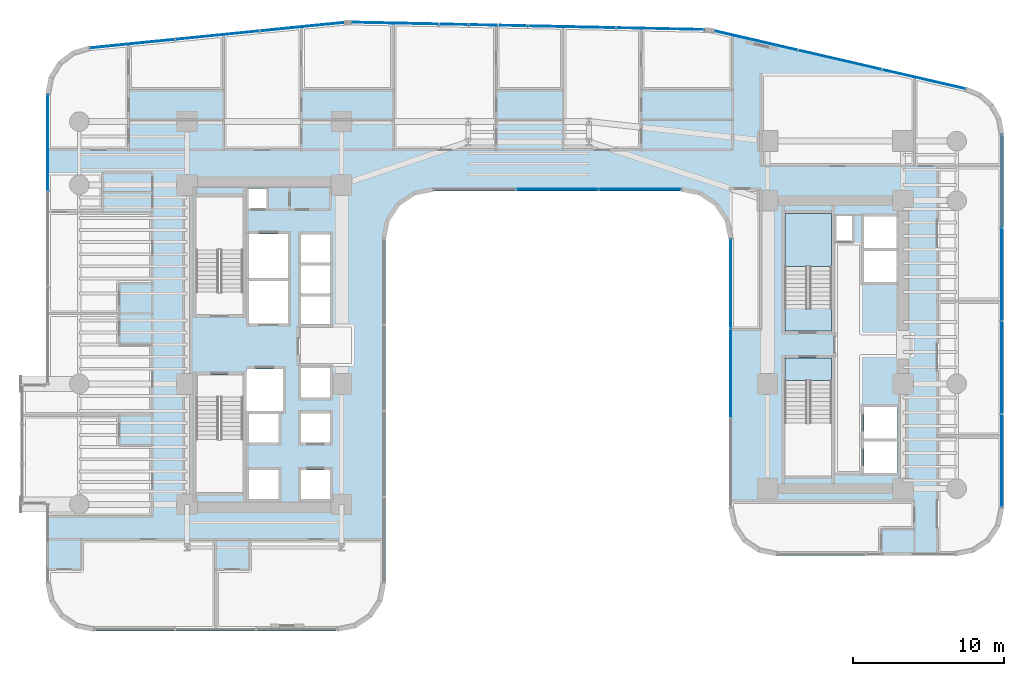
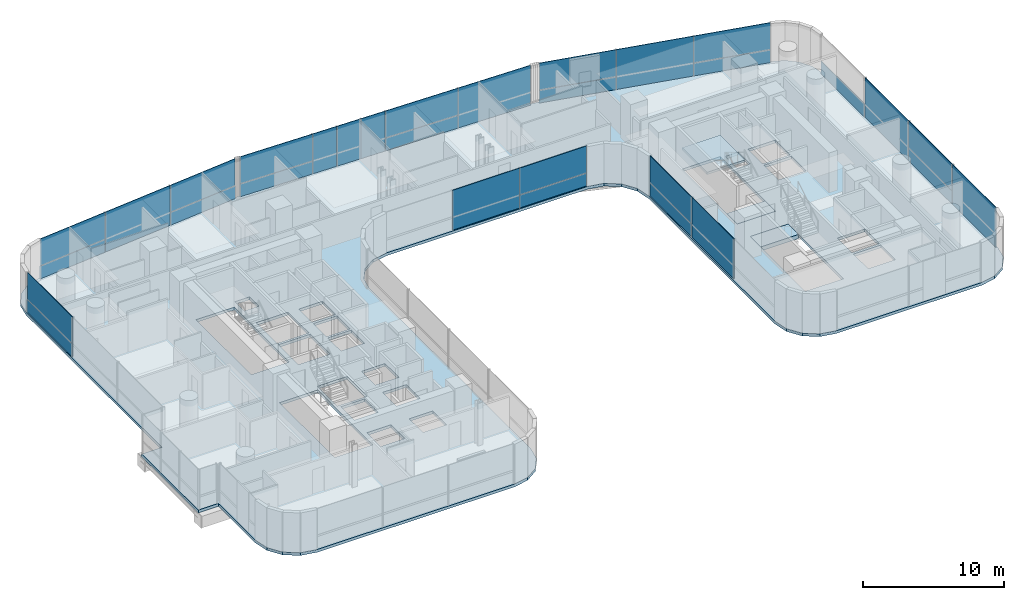
# One storey, part 29 of 41: 31 plates, 4 slabs, 8 elements without a shape of their own.
"""IFC4 building model written with IfcOpenShell, lengths in metres."""

import ifcopenshell
import ifcopenshell.guid

model = None  # the IFC model being written
_history = None  # IfcOwnerHistory: only IFC2X3 demands one
_inside = {}  # id of a spatial element -> (the spatial element, [elements in it])
_under = {}  # id of a project, library or spatial element -> (it, [spatial elements below it])
_declared = {}  # id of a project -> (the project, [libraries it declares])
_typed = {}  # id of a type object -> (the type object, [elements of that type])
_made_of = {}  # id of a material, layer set ... -> (it, [elements and type objects made of it])


def new_model(schema):
    """Start an empty IFC model of exactly this schema.

    Asked for "IFC4X3", IfcOpenShell would pick the latest addendum, in which some entities
    have other attributes; the version numbers below select the first issue.
    IFC2X3 requires an IfcOwnerHistory on every rooted entity: one is made here for all.
    """
    global model, _history
    if schema == "IFC4X3":
        model = ifcopenshell.file(schema_version=(4, 3, 0, 0))
    else:
        model = ifcopenshell.file(schema=schema)
    _inside.clear()
    _under.clear()
    _declared.clear()
    _typed.clear()
    _made_of.clear()
    _history = None
    if model.schema == "IFC2X3":
        org = make("IfcOrganization", Name="unknown")
        user = make(
            "IfcPersonAndOrganization",
            ThePerson=make("IfcPerson", FamilyName="unknown"),
            TheOrganization=org,
        )
        app = make(
            "IfcApplication",
            ApplicationDeveloper=org,
            Version="unknown",
            ApplicationFullName="unknown",
            ApplicationIdentifier="unknown",
        )
        _history = make(
            "IfcOwnerHistory",
            OwningUser=user,
            OwningApplication=app,
            ChangeAction="ADDED",
            CreationDate=0,
        )
    return model


def make(cls, **values):
    """One entity of the class cls with the attributes given. An attribute that is None is left unset."""
    return model.create_entity(
        cls, **{name: value for name, value in values.items() if value is not None}
    )


def rooted(cls, **values):
    """An entity with a GlobalId (a new one), such as an element, a storey or a relation."""
    return make(cls, GlobalId=ifcopenshell.guid.new(), OwnerHistory=_history, **values)


def si_unit(unit_type, name, prefix=None):
    """IfcSIUnit, for example si_unit("LENGTHUNIT", "METRE", prefix="MILLI")."""
    return make("IfcSIUnit", UnitType=unit_type, Prefix=prefix, Name=name)


def assignment(units):
    """IfcUnitAssignment: the units of a project."""
    return None if units is None else make("IfcUnitAssignment", Units=units)


def point(xyz):
    """IfcCartesianPoint."""
    return None if xyz is None else make("IfcCartesianPoint", Coordinates=xyz)


def direction(xyz):
    """IfcDirection."""
    return None if xyz is None else make("IfcDirection", DirectionRatios=xyz)


def frame(location, z_axis=None, x_axis=None):
    """IfcAxis2Placement3D, a coordinate frame: its origin and axes. An axis left out is left unset."""
    return make(
        "IfcAxis2Placement3D",
        Location=point(location),
        Axis=direction(z_axis),
        RefDirection=direction(x_axis),
    )


def frame_2d(location, x_axis=None):
    """IfcAxis2Placement2D, a coordinate frame in the plane: its origin and x axis."""
    return make(
        "IfcAxis2Placement2D", Location=point(location), RefDirection=direction(x_axis)
    )


def origin():
    """The frame at (0, 0, 0) with its axes left unset."""
    return frame((0.0, 0.0, 0.0))


def origin_2d():
    """The frame at (0, 0) in the plane with its x axis left unset."""
    return frame_2d((0.0, 0.0))


def place(relative_to, where):
    """IfcLocalPlacement: puts the frame where relative to a parent placement (None: the world)."""
    return make(
        "IfcLocalPlacement", PlacementRelTo=relative_to, RelativePlacement=where
    )


def context(
    kind, dimensions, precision=None, world=None, true_north=None, identifier=None
):
    """IfcGeometricRepresentationContext, for example the 3D "Model" context."""
    return make(
        "IfcGeometricRepresentationContext",
        ContextIdentifier=identifier,
        ContextType=kind,
        CoordinateSpaceDimension=dimensions,
        Precision=precision,
        WorldCoordinateSystem=world,
        TrueNorth=true_north,
    )


def subcontext(parent, identifier, kind, view, scale=None):
    """IfcGeometricRepresentationSubContext, for example "Body" below "Model"."""
    return make(
        "IfcGeometricRepresentationSubContext",
        ContextIdentifier=identifier,
        ContextType=kind,
        ParentContext=parent,
        TargetScale=scale,
        TargetView=view,
    )


def project(units=None, contexts=None):
    """IfcProject with its units and contexts."""
    return rooted(
        "IfcProject",
        Name="project",
        RepresentationContexts=contexts,
        UnitsInContext=assignment(units),
    )


def spatial(cls, under=None, at=None, **own):
    """A site, building, storey or space (cls), placed at a placement, below another one or the project."""
    s = rooted(cls, ObjectPlacement=at, **own)
    if under is not None:
        _under.setdefault(under.id(), (under, []))[1].append(s)
    return s


def polyline(points):
    """IfcPolyline through the points."""
    return make("IfcPolyline", Points=[point(p) for p in points])


def profile(cls, at=None, kind="AREA", **sizes):
    """A parametric profile (cls). Its sizes go by their IFC names, for example OverallWidth=200.0."""
    return make(cls, ProfileType=kind, Position=at, **sizes)


def rectangle(**sizes):
    """IfcRectangleProfileDef."""
    return profile("IfcRectangleProfileDef", **sizes)


def outline(outer, holes=None, kind="AREA"):
    """IfcArbitraryClosedProfileDef: a profile drawn as a closed curve; with holes, ...WithVoids."""
    if holes is None:
        return make("IfcArbitraryClosedProfileDef", ProfileType=kind, OuterCurve=outer)
    return make(
        "IfcArbitraryProfileDefWithVoids",
        ProfileType=kind,
        OuterCurve=outer,
        InnerCurves=holes,
    )


def extrude(swept, where, along, depth):
    """IfcExtrudedAreaSolid: the profile swept, set in the frame where, extruded along a direction by depth."""
    return make(
        "IfcExtrudedAreaSolid",
        SweptArea=swept,
        Position=where,
        ExtrudedDirection=direction(along),
        Depth=depth,
    )


def shape(context_of_items, identifier, shape_type, items):
    """IfcShapeRepresentation: the items that make up one representation, for example the "Body"."""
    return make(
        "IfcShapeRepresentation",
        ContextOfItems=context_of_items,
        RepresentationIdentifier=identifier,
        RepresentationType=shape_type,
        Items=items,
    )


def source(mapping_origin, context_of_items, identifier, shape_type, items):
    """IfcRepresentationMap: a shape defined once, which mapped items show again and again."""
    return make(
        "IfcRepresentationMap",
        MappingOrigin=mapping_origin,
        MappedRepresentation=shape(context_of_items, identifier, shape_type, items),
    )


def transform(
    local_origin,
    x_axis=None,
    y_axis=None,
    z_axis=None,
    scale=None,
    scale2=None,
    scale3=None,
    uniform=True,
):
    """IfcCartesianTransformationOperator3D, or its non-uniform kind. x_axis, y_axis, z_axis: its Axis1, 2, 3."""
    if uniform:
        return make(
            "IfcCartesianTransformationOperator3D",
            Axis1=direction(x_axis),
            Axis2=direction(y_axis),
            LocalOrigin=point(local_origin),
            Scale=scale,
            Axis3=direction(z_axis),
        )
    return make(
        "IfcCartesianTransformationOperator3DnonUniform",
        Axis1=direction(x_axis),
        Axis2=direction(y_axis),
        LocalOrigin=point(local_origin),
        Scale=scale,
        Axis3=direction(z_axis),
        Scale2=scale2,
        Scale3=scale3,
    )


def mapped(mapping_source, mapping_target):
    """IfcMappedItem: shows the shape of a source again, moved by a transform."""
    return make(
        "IfcMappedItem", MappingSource=mapping_source, MappingTarget=mapping_target
    )


def material(Name=None, Category=None):
    """IfcMaterial."""
    return make("IfcMaterial", Name=Name, Category=Category)


def layer(
    of_material, thickness, ventilated=None, Name=None, Category=None, Priority=None
):
    """IfcMaterialLayer: one layer of a wall or slab, of a material (None: an air gap)."""
    return make(
        "IfcMaterialLayer",
        Material=of_material,
        LayerThickness=thickness,
        IsVentilated=ventilated,
        Name=Name,
        Category=Category,
        Priority=Priority,
    )


def layer_set(layers, Name=None):
    """IfcMaterialLayerSet."""
    return make("IfcMaterialLayerSet", MaterialLayers=layers, LayerSetName=Name)


def made_of(thing, what):
    """Note that an element or type object is made of a material, layer set ...; save() writes the relation."""
    if what is not None:
        _made_of.setdefault(what.id(), (what, []))[1].append(thing)
    return thing


def type_object(cls, material=None, **own):
    """A type object (cls), such as IfcWallType, which elements share."""
    return made_of(rooted(cls, **own), material)


def element(
    cls,
    number,
    at=None,
    inside=None,
    cuts=None,
    type_object=None,
    material=None,
    context=None,
    identifier="Body",
    shape_type=None,
    held_by="IfcProductDefinitionShape",
    body=None,
    shapes=None,
    **own,
):
    """One element of the class cls, such as IfcWall. Its Tag is "e" and its number.

    at: its placement. inside: the storey or other place that contains it. cuts: it is an
    opening in that element (IfcRelVoidsElement). A single representation is given by context,
    identifier, shape_type and body (its items); several are given by shapes. held_by: the class
    of the entity that holds the representations. save() writes the other relations.
    """
    e = rooted(cls, Tag="e%d" % number, ObjectPlacement=at, **own)
    if body is not None:
        shapes = [shape(context, identifier, shape_type, body)]
    if shapes is not None:
        e.Representation = make(held_by, Representations=shapes)
    if inside is not None:
        _inside.setdefault(inside.id(), (inside, []))[1].append(e)
    if cuts is not None:
        rooted(
            "IfcRelVoidsElement", RelatingBuildingElement=cuts, RelatedOpeningElement=e
        )
    if type_object is not None:
        _typed.setdefault(type_object.id(), (type_object, []))[1].append(e)
    return made_of(e, material)


def aggregate(whole, parts):
    """IfcRelAggregates: a whole, such as a stair, and the parts it consists of."""
    return rooted("IfcRelAggregates", RelatingObject=whole, RelatedObjects=parts)


def save(model, path):
    """Write the relations noted so far, then the file.

    IfcRelAggregates (storeys below a building ...), IfcRelContainedInSpatialStructure (elements
    in a storey), IfcRelDefinesByType, IfcRelAssociatesMaterial and IfcRelDeclares: one each for
    every whole, place, type object, material and project.
    """
    for whole, parts in _under.values():
        aggregate(whole, parts)
    for where, things in _inside.values():
        rooted(
            "IfcRelContainedInSpatialStructure",
            RelatedElements=things,
            RelatingStructure=where,
        )
    for kind, things in _typed.values():
        rooted("IfcRelDefinesByType", RelatedObjects=things, RelatingType=kind)
    for what, things in _made_of.values():
        rooted("IfcRelAssociatesMaterial", RelatedObjects=things, RelatingMaterial=what)
    for by, libraries in _declared.values():
        rooted("IfcRelDeclares", RelatingContext=by, RelatedDefinitions=libraries)
    model.write(path)


model = new_model("IFC4")

# Units and contexts
model_context = context("Model", 3, precision=1e-05, world=origin(), true_north=direction((0.0, 1.0)))
body_context = subcontext(model_context, "Body", "Model", "MODEL_VIEW")
ifc_project = project(units=[si_unit("LENGTHUNIT", "METRE"), si_unit("AREAUNIT", "SQUARE_METRE"), si_unit("VOLUMEUNIT", "CUBIC_METRE"), si_unit("PLANEANGLEUNIT", "RADIAN"), si_unit("MASSUNIT", "GRAM", prefix="KILO")], contexts=[model_context])

# Site, building, storey
site_placement = place(None, origin())
site = spatial("IfcSite", under=ifc_project, at=site_placement, CompositionType="ELEMENT")
building_placement = place(site_placement, origin())
building = spatial("IfcBuilding", under=site, at=building_placement, Name="Valdorenza Pilgrim Sanctuary Tower", CompositionType="ELEMENT")
storey_placement = place(building_placement, frame((0.0, 0.0, 59.300048828125)))
storey = spatial("IfcBuildingStorey", under=building, at=storey_placement, Name="L14", CompositionType="ELEMENT", Elevation=59.300048828125)

# Slab
ifc_material_1 = material(Name="Concrete C40/50", Category="concrete")
ifc_layer_1 = layer(ifc_material_1, 0.239990234375, Name="Concrete C40/50")
ifc_layer_set_1 = layer_set([ifc_layer_1], Name="Concrete C40/50")
slab_type_1 = type_object("IfcSlabType", Name="SLAB-FLR-220", PredefinedType="FLOOR", material=ifc_layer_set_1)
slab_1_placement = place(storey_placement, frame((0.0, 0.0, -0.239990234375)))
element("IfcSlab", 1, at=slab_1_placement, inside=storey, type_object=slab_type_1, Name="L14 Structural Floor Slab 1", PredefinedType="FLOOR", context=body_context, shape_type="SweptSolid", body=[
    extrude(outline(polyline([(-33.64990234375, -2.60009765625), (-32.0, -2.60009765625), (-32.0, 16.60400390625), (-31.785888671875, 17.754638671875), (-31.172607421875, 18.751220703125), (-30.241943359375, 19.460693359375), (-29.118408203125, 19.7880859375), (-12.192138671875, 21.480712890625), (-11.999755859375, 21.494140625), (-11.806884765625, 21.49609375), (11.66943359375, 21.0068359375), (11.833984375, 20.999267578125), (11.997802734375, 20.983154296875), (12.160888671875, 20.95849609375), (12.322265625, 20.925537109375), (29.01953125, 17.072509765625), (30.00732421875, 16.660888671875), (30.80419921875, 15.946533203125), (31.321044921875, 15.009521484375), (31.5, 13.954345703125), (31.5, -10.800048828125), (31.25634765625, -12.024658203125), (30.562744140625, -13.062744140625), (29.524658203125, -13.75634765625), (28.300048828125, -14.0), (16.5, -14.0), (15.275390625, -13.75634765625), (14.2373046875, -13.062744140625), (13.543701171875, -12.024658203125), (13.300048828125, -10.800048828125), (13.300048828125, 7.0), (13.056396484375, 8.224609375), (12.36279296875, 9.2626953125), (11.32470703125, 9.956298828125), (10.10009765625, 10.199951171875), (-6.300048828125, 10.199951171875), (-7.524658203125, 9.956298828125), (-8.562744140625, 9.2626953125), (-9.25634765625, 8.224609375), (-9.5, 7.0), (-9.5, -15.800048828125), (-9.74365234375, -17.024658203125), (-10.437255859375, -18.062744140625), (-11.475341796875, -18.75634765625), (-12.699951171875, -19.0), (-28.800048828125, -19.0), (-30.024658203125, -18.75634765625), (-31.062744140625, -18.062744140625), (-31.75634765625, -17.024658203125), (-32.0, -15.800048828125), (-32.0, -10.60009765625), (-33.64990234375, -10.60009765625), (-33.64990234375, -2.60009765625)]), holes=[polyline([(-16.60009765625, -10.25), (-16.60009765625, -8.300048828125), (-18.550048828125, -8.300048828125), (-18.550048828125, -10.25), (-16.60009765625, -10.25)]), polyline([(-22.050048828125, -9.800048828125), (-18.93994140625, -9.800048828125), (-18.93994140625, -3.485107421875), (-18.93994140625, -2.0), (-22.050048828125, -2.0), (-22.050048828125, -3.485107421875), (-22.050048828125, -9.800048828125)]), polyline([(-18.550048828125, -6.5), (-16.60009765625, -6.5), (-16.60009765625, -4.60009765625), (-18.550048828125, -4.60009765625), (-18.550048828125, -6.5)]), polyline([(-13.179931640625, -6.5), (-13.179931640625, -4.550048828125), (-15.10009765625, -4.550048828125), (-15.10009765625, -6.5), (-13.179931640625, -6.5)]), polyline([(-18.719970703125, -4.39990234375), (-16.300048828125, -4.39990234375), (-16.300048828125, -1.60009765625), (-18.719970703125, -1.60009765625), (-18.719970703125, -4.39990234375)]), polyline([(-13.179931640625, -3.5), (-13.179931640625, -1.550048828125), (-15.10009765625, -1.550048828125), (-15.10009765625, -3.5), (-13.179931640625, -3.5)]), polyline([(-22.050048828125, 2.0), (-18.93994140625, 2.0), (-18.93994140625, 3.485107421875), (-18.93994140625, 9.800048828125), (-22.050048828125, 9.800048828125), (-22.050048828125, 3.485107421875), (-22.050048828125, 2.0)]), polyline([(-18.550048828125, 1.39990234375), (-15.949951171875, 1.39990234375), (-15.949951171875, 4.22509765625), (-18.550048828125, 4.22509765625), (-18.550048828125, 1.39990234375)]), polyline([(-15.949951171875, 4.425048828125), (-15.949951171875, 7.35009765625), (-18.550048828125, 7.35009765625), (-18.550048828125, 4.425048828125), (-15.949951171875, 4.425048828125)]), polyline([(-15.10009765625, 5.449951171875), (-13.179931640625, 5.449951171875), (-13.179931640625, 7.300048828125), (-15.10009765625, 7.300048828125), (-15.10009765625, 5.449951171875)]), polyline([(-17.360107421875, 9.030029296875), (-17.360107421875, 10.35009765625), (-18.570068359375, 10.35009765625), (-18.570068359375, 9.030029296875), (-17.360107421875, 9.030029296875)]), polyline([(-15.10009765625, -10.25), (-13.179931640625, -10.25), (-13.179931640625, -8.300048828125), (-15.10009765625, -8.300048828125), (-15.10009765625, -10.25)]), polyline([(22.25, -8.5), (24.47998046875, -8.5), (24.47998046875, -6.425048828125), (22.25, -6.425048828125), (22.25, -8.5)]), polyline([(17.0, -2.385009765625), (17.0, -8.699951171875), (20.110107421875, -8.699951171875), (20.110107421875, -2.385009765625), (20.110107421875, -0.89990234375), (17.0, -0.89990234375), (17.0, -2.385009765625)]), polyline([(22.25, -6.22509765625), (24.47998046875, -6.22509765625), (24.47998046875, -4.14990234375), (22.25, -4.14990234375), (22.25, -6.22509765625)]), polyline([(17.0, 0.89990234375), (20.110107421875, 0.89990234375), (20.110107421875, 2.385009765625), (20.110107421875, 8.699951171875), (17.0, 8.699951171875), (17.0, 2.385009765625), (17.0, 0.89990234375)]), polyline([(-15.10009765625, 1.35009765625), (-13.179931640625, 1.35009765625), (-13.179931640625, 3.199951171875), (-15.10009765625, 3.199951171875), (-15.10009765625, 1.35009765625)]), polyline([(-15.10009765625, 3.39990234375), (-13.179931640625, 3.39990234375), (-13.179931640625, 5.25), (-15.10009765625, 5.25), (-15.10009765625, 3.39990234375)]), polyline([(22.25, 4.14990234375), (24.47998046875, 4.14990234375), (24.47998046875, 6.22509765625), (22.25, 6.22509765625), (22.25, 4.14990234375)]), polyline([(22.25, 6.425048828125), (24.47998046875, 6.425048828125), (24.47998046875, 8.5), (22.25, 8.5), (22.25, 6.425048828125)]), polyline([(20.409912109375, 6.860107421875), (21.489990234375, 6.860107421875), (21.489990234375, 8.52001953125), (20.409912109375, 8.52001953125), (20.409912109375, 6.860107421875)])]), origin(), (0.0, 0.0, 1.0), 0.239990234375),
])

# Stair, slab
stair_type = type_object("IfcStairType", Name="STR-DOG-CORE", PredefinedType="HALF_TURN_STAIR", material=ifc_material_1)
stair_placement = place(storey_placement, origin())
stair = element("IfcStair", 2, at=stair_placement, inside=storey, type_object=stair_type, Name="L14 ST-B1", PredefinedType="HALF_TURN_STAIR")
ifc_layer_2 = layer(ifc_material_1, 0.199951171875, Name="Concrete C40/50")
ifc_layer_set_2 = layer_set([ifc_layer_2], Name="Concrete C40/50")
slab_type_2 = type_object("IfcSlabType", Name="SLAB-STL-200", PredefinedType="LANDING", material=ifc_layer_set_2)
slab_2_placement = place(storey_placement, frame((0.0, 0.0, 1.64990234375)))
slab_2 = element("IfcSlab", 3, at=slab_2_placement, type_object=slab_type_2, Name="ST-B1 landing 1", PredefinedType="LANDING", context=body_context, shape_type="SweptSolid", body=[
    extrude(outline(polyline([(20.110107421875, 5.179931640625), (20.110107421875, 8.699951171875), (17.0, 8.699951171875), (17.0, 5.179931640625), (20.110107421875, 5.179931640625)])), origin(), (0.0, 0.0, 1.0), 0.199951171875),
])
aggregate(stair, [slab_2])

# Slabs
ifc_material_2 = material(Name="Concrete C50/60", Category="concrete")
ifc_layer_3 = layer(ifc_material_2, 0.39990234375, Name="Concrete C50/60")
ifc_layer_set_3 = layer_set([ifc_layer_3], Name="Concrete C50/60")
slab_type_3 = type_object("IfcSlabType", Name="SLAB-TRF-400", PredefinedType="FLOOR", material=ifc_layer_set_3)
slab_3_placement = place(storey_placement, frame((0.0, 0.0, -0.360107421875)))
element("IfcSlab", 4, at=slab_3_placement, inside=storey, type_object=slab_type_3, Name="L14 ST-B1 Structural Stair Landing Bearing Slab", PredefinedType="FLOOR", context=body_context, shape_type="SweptSolid", body=[
    extrude(outline(polyline([(17.0, 0.89990234375), (20.110107421875, 0.89990234375), (20.110107421875, 2.385009765625), (17.0, 2.385009765625), (17.0, 0.89990234375)])), origin(), (0.0, 0.0, 1.0), 0.360107421875),
])
slab_4_placement = place(storey_placement, frame((0.0, 0.0, -0.360107421875)))
element("IfcSlab", 5, at=slab_4_placement, inside=storey, type_object=slab_type_3, Name="L14 ST-B2 Structural Stair Landing Bearing Slab", PredefinedType="FLOOR", context=body_context, shape_type="SweptSolid", body=[
    extrude(outline(polyline([(17.0, -2.385009765625), (20.110107421875, -2.385009765625), (20.110107421875, -0.89990234375), (17.0, -0.89990234375), (17.0, -2.385009765625)])), origin(), (0.0, 0.0, 1.0), 0.360107421875),
])

# Curtain wall, plates
ifc_material_3 = material(Name="Curtain-wall IGU glazing", Category="glass")
curtain_wall_type_1 = type_object("IfcCurtainWallType", Name="CW-SYS-02", PredefinedType="NOTDEFINED", material=ifc_material_3)
curtain_wall_1_placement = place(storey_placement, origin())
curtain_wall_1 = element("IfcCurtainWall", 6, at=curtain_wall_1_placement, inside=storey, type_object=curtain_wall_type_1, Name="L14 Curtain Wall CW-L14-1-1S2", PredefinedType="NOTDEFINED")
ifc_material_4 = material(Name="Honed travertine limestone", Category="masonry")
ifc_layer_4 = layer(ifc_material_4, 0.050048828125, Name="Honed travertine limestone")
ifc_layer_set_4 = layer_set([ifc_layer_4], Name="Honed travertine limestone")
plate_type_1 = type_object("IfcPlateType", Name="CW-SPN-TRV", PredefinedType="USERDEFINED", material=ifc_layer_set_4)
shared_shape_1 = source(origin(), body_context, "Body", "SweptSolid", [
    extrude(rectangle(XDim=6.3779296875, YDim=0.06005859375, at=origin_2d()), origin(), (0.0, 0.0, 1.0), 1.10009765625),
])
plate_1_placement = place(storey_placement, frame((-31.889892578125, 13.39501953125, 0.010009765625), z_axis=(0.0, 0.0, 1.0), x_axis=(0.0, 1.0, 0.0)))
plate_1 = element("IfcPlate", 7, at=plate_1_placement, type_object=plate_type_1, Name="CW-L14-1-1S2 Travertine Spandrel 3", ObjectType="SPANDREL", PredefinedType="USERDEFINED", context=body_context, shape_type="MappedRepresentation", body=[
    mapped(shared_shape_1, transform((0.0, 0.0, 0.0), x_axis=(1.0, 0.0, 0.0), y_axis=(0.0, 1.0, 0.0), z_axis=(0.0, 0.0, 1.0), scale=1.0)),
])
ifc_material_5 = material(Name="Ceramic-fritted low-E IGU glazing", Category="glass")
ifc_layer_5 = layer(ifc_material_5, 0.035888671875, Name="Ceramic-fritted low-E IGU glazing")
ifc_layer_set_5 = layer_set([ifc_layer_5], Name="Ceramic-fritted low-E IGU glazing")
plate_type_2 = type_object("IfcPlateType", Name="CW-GLZ-IGU", PredefinedType="USERDEFINED", material=ifc_layer_set_5)
shared_shape_2 = source(origin(), body_context, "Body", "SweptSolid", [
    extrude(rectangle(XDim=6.3779296875, YDim=0.050048828125, at=origin_2d()), origin(), (0.0, 0.0, 1.0), 2.320068359375),
])
plate_2_placement = place(storey_placement, frame((-31.889892578125, 13.39501953125, 1.1298828125), z_axis=(0.0, 0.0, 1.0), x_axis=(0.0, 1.0, 0.0)))
plate_2 = element("IfcPlate", 8, at=plate_2_placement, type_object=plate_type_2, Name="CW-L14-1-1S2 Facade Panel 3", ObjectType="GLAZING", PredefinedType="USERDEFINED", context=body_context, shape_type="MappedRepresentation", body=[
    mapped(shared_shape_2, transform((0.0, 0.0, 0.0), x_axis=(1.0, 0.0, 0.0), y_axis=(0.0, 1.0, 0.0), z_axis=(0.0, 0.0, 1.0), scale=1.0)),
])
aggregate(curtain_wall_1, [plate_1, plate_2])

curtain_wall_2_placement = place(storey_placement, origin())
curtain_wall_2 = element("IfcCurtainWall", 9, at=curtain_wall_2_placement, inside=storey, type_object=curtain_wall_type_1, Name="L14 Curtain Wall CW-L14-1-6", PredefinedType="NOTDEFINED")
shared_shape_3 = source(origin(), body_context, "Body", "SweptSolid", [
    extrude(rectangle(XDim=5.646484375, YDim=0.06005859375, at=origin_2d()), origin(), (0.0, 0.0, 1.0), 1.10009765625),
])
plate_3_placement = place(storey_placement, frame((-26.2783203125, 19.961669921875, 0.010009765625), z_axis=(0.0, 0.0, 1.0), x_axis=(0.995038220239, 0.099493418189, 0.0)))
plate_3 = element("IfcPlate", 10, at=plate_3_placement, type_object=plate_type_1, Name="CW-L14-1-6 Travertine Spandrel 1", ObjectType="SPANDREL", PredefinedType="USERDEFINED", context=body_context, shape_type="MappedRepresentation", body=[
    mapped(shared_shape_3, transform((0.0, 0.0, 0.0), x_axis=(1.0, 0.0, 0.0), y_axis=(0.0, 1.0, 0.0), z_axis=(0.0, 0.0, 1.0), scale=1.0)),
])
plate_4_placement = place(storey_placement, frame((-15.001220703125, 21.08935546875, 0.010009765625), z_axis=(0.0, 0.0, 1.0), x_axis=(0.995038220239, 0.099493418189, 0.0)))
plate_4 = element("IfcPlate", 11, at=plate_4_placement, type_object=plate_type_1, Name="CW-L14-1-6 Travertine Spandrel 3", ObjectType="SPANDREL", PredefinedType="USERDEFINED", context=body_context, shape_type="MappedRepresentation", body=[
    mapped(shared_shape_3, transform((0.0, 0.0, 0.0), x_axis=(1.0, 0.0, 0.0), y_axis=(0.0, 1.0, 0.0), z_axis=(0.0, 0.0, 1.0), scale=1.0)),
])
shared_shape_4 = source(origin(), body_context, "Body", "SweptSolid", [
    extrude(rectangle(XDim=5.646484375, YDim=0.050048828125, at=origin_2d()), origin(), (0.0, 0.0, 1.0), 2.320068359375),
])
plate_5_placement = place(storey_placement, frame((-26.2783203125, 19.961669921875, 1.1298828125), z_axis=(0.0, 0.0, 1.0), x_axis=(0.995038220239, 0.099493418189, 0.0)))
plate_5 = element("IfcPlate", 12, at=plate_5_placement, type_object=plate_type_2, Name="CW-L14-1-6 Facade Panel 1", ObjectType="GLAZING", PredefinedType="USERDEFINED", context=body_context, shape_type="MappedRepresentation", body=[
    mapped(shared_shape_4, transform((0.0, 0.0, 0.0), x_axis=(1.0, 0.0, 0.0), y_axis=(0.0, 1.0, 0.0), z_axis=(0.0, 0.0, 1.0), scale=1.0)),
])
plate_6_placement = place(storey_placement, frame((-15.001220703125, 21.08935546875, 1.1298828125), z_axis=(0.0, 0.0, 1.0), x_axis=(0.995038220239, 0.099493418189, 0.0)))
plate_6 = element("IfcPlate", 13, at=plate_6_placement, type_object=plate_type_2, Name="CW-L14-1-6 Facade Panel 3", ObjectType="GLAZING", PredefinedType="USERDEFINED", context=body_context, shape_type="MappedRepresentation", body=[
    mapped(shared_shape_4, transform((0.0, 0.0, 0.0), x_axis=(1.0, 0.0, 0.0), y_axis=(0.0, 1.0, 0.0), z_axis=(0.0, 0.0, 1.0), scale=1.0)),
])
shared_shape_5 = source(origin(), body_context, "Body", "SweptSolid", [
    extrude(rectangle(XDim=5.646484375, YDim=0.050048828125, at=origin_2d()), origin(), (0.0, 0.0, 1.0), 3.43994140625),
])
plate_7_placement = place(storey_placement, frame((-20.6396484375, 20.525634765625, 0.010009765625), z_axis=(0.0, 0.0, 1.0), x_axis=(0.995038220239, 0.099493418189, 0.0)))
plate_7 = element("IfcPlate", 14, at=plate_7_placement, type_object=plate_type_2, Name="CW-L14-1-6 Full-Height Facade Panel 2", ObjectType="GLAZING", PredefinedType="USERDEFINED", context=body_context, shape_type="MappedRepresentation", body=[
    mapped(shared_shape_5, transform((0.0, 0.0, 0.0), x_axis=(1.0, 0.0, 0.0), y_axis=(0.0, 1.0, 0.0), z_axis=(0.0, 0.0, 1.0), scale=1.0)),
])
aggregate(curtain_wall_2, [plate_3, plate_5, plate_7, plate_4, plate_6])

curtain_wall_3_placement = place(storey_placement, origin())
curtain_wall_3 = element("IfcCurtainWall", 15, at=curtain_wall_3_placement, inside=storey, type_object=curtain_wall_type_1, Name="L14 Curtain Wall CW-L14-1-11", PredefinedType="NOTDEFINED")
shared_shape_6 = source(origin(), body_context, "Body", "SweptSolid", [
    extrude(rectangle(XDim=5.849853515625, YDim=0.06005859375, at=origin_2d()), origin(), (0.0, 0.0, 1.0), 1.10009765625),
])
plate_8_placement = place(storey_placement, frame((-8.8740234375, 21.324951171875, 0.010009765625), z_axis=(0.0, 0.0, 1.0), x_axis=(0.999783234613, -0.020820273474, 0.0)))
plate_8 = element("IfcPlate", 16, at=plate_8_placement, type_object=plate_type_1, Name="CW-L14-1-11 Travertine Spandrel 1", ObjectType="SPANDREL", PredefinedType="USERDEFINED", context=body_context, shape_type="MappedRepresentation", body=[
    mapped(shared_shape_6, transform((0.0, 0.0, 0.0), x_axis=(1.0, 0.0, 0.0), y_axis=(0.0, 1.0, 0.0), z_axis=(0.0, 0.0, 1.0), scale=1.0)),
])
plate_9_placement = place(storey_placement, frame((2.86279296875, 21.080322265625, 0.010009765625), z_axis=(0.0, 0.0, 1.0), x_axis=(0.999783234613, -0.020820273474, 0.0)))
plate_9 = element("IfcPlate", 17, at=plate_9_placement, type_object=plate_type_1, Name="CW-L14-1-11 Travertine Spandrel 3", ObjectType="SPANDREL", PredefinedType="USERDEFINED", context=body_context, shape_type="MappedRepresentation", body=[
    mapped(shared_shape_6, transform((0.0, 0.0, 0.0), x_axis=(1.0, 0.0, 0.0), y_axis=(0.0, 1.0, 0.0), z_axis=(0.0, 0.0, 1.0), scale=1.0)),
])
shared_shape_7 = source(origin(), body_context, "Body", "SweptSolid", [
    extrude(rectangle(XDim=5.849853515625, YDim=0.050048828125, at=origin_2d()), origin(), (0.0, 0.0, 1.0), 2.320068359375),
])
plate_10_placement = place(storey_placement, frame((-8.8740234375, 21.324951171875, 1.1298828125), z_axis=(0.0, 0.0, 1.0), x_axis=(0.999783234613, -0.020820273474, 0.0)))
plate_10 = element("IfcPlate", 18, at=plate_10_placement, type_object=plate_type_2, Name="CW-L14-1-11 Facade Panel 1", ObjectType="GLAZING", PredefinedType="USERDEFINED", context=body_context, shape_type="MappedRepresentation", body=[
    mapped(shared_shape_7, transform((0.0, 0.0, 0.0), x_axis=(1.0, 0.0, 0.0), y_axis=(0.0, 1.0, 0.0), z_axis=(0.0, 0.0, 1.0), scale=1.0)),
])
plate_11_placement = place(storey_placement, frame((2.86279296875, 21.080322265625, 1.1298828125), z_axis=(0.0, 0.0, 1.0), x_axis=(0.999783234613, -0.020820273474, 0.0)))
plate_11 = element("IfcPlate", 19, at=plate_11_placement, type_object=plate_type_2, Name="CW-L14-1-11 Facade Panel 3", ObjectType="GLAZING", PredefinedType="USERDEFINED", context=body_context, shape_type="MappedRepresentation", body=[
    mapped(shared_shape_7, transform((0.0, 0.0, 0.0), x_axis=(1.0, 0.0, 0.0), y_axis=(0.0, 1.0, 0.0), z_axis=(0.0, 0.0, 1.0), scale=1.0)),
])
shared_shape_8 = source(origin(), body_context, "Body", "SweptSolid", [
    extrude(rectangle(XDim=5.849853515625, YDim=0.050048828125, at=origin_2d()), origin(), (0.0, 0.0, 1.0), 3.43994140625),
])
plate_12_placement = place(storey_placement, frame((8.7314453125, 20.9580078125, 0.010009765625), z_axis=(0.0, 0.0, 1.0), x_axis=(0.999783234613, -0.020820273474, 0.0)))
plate_12 = element("IfcPlate", 20, at=plate_12_placement, type_object=plate_type_2, Name="CW-L14-1-11 Full-Height Facade Panel 4", ObjectType="GLAZING", PredefinedType="USERDEFINED", context=body_context, shape_type="MappedRepresentation", body=[
    mapped(shared_shape_8, transform((0.0, 0.0, 0.0), x_axis=(1.0, 0.0, 0.0), y_axis=(0.0, 1.0, 0.0), z_axis=(0.0, 0.0, 1.0), scale=1.0)),
])

curtain_wall_type_2 = type_object("IfcCurtainWallType", Name="CW-SYS-03", PredefinedType="NOTDEFINED", material=ifc_material_3)
curtain_wall_4_placement = place(storey_placement, origin())
curtain_wall_4 = element("IfcCurtainWall", 21, at=curtain_wall_4_placement, inside=storey, type_object=curtain_wall_type_2, Name="L14 Curtain Wall CW-L14-1-16", PredefinedType="NOTDEFINED")
shared_shape_9 = source(origin(), body_context, "Body", "SweptSolid", [
    extrude(rectangle(XDim=5.6884765625, YDim=0.06005859375, at=origin_2d()), origin(), (0.0, 0.0, 1.0), 1.10009765625),
])
plate_13_placement = place(storey_placement, frame((15.080078125, 20.17626953125, 0.010009765625), z_axis=(0.0, 0.0, 1.0), x_axis=(0.974389691758, -0.224866023659, 0.0)))
plate_13 = element("IfcPlate", 22, at=plate_13_placement, type_object=plate_type_1, Name="CW-L14-1-16 Travertine Spandrel 1", ObjectType="SPANDREL", PredefinedType="USERDEFINED", context=body_context, shape_type="MappedRepresentation", body=[
    mapped(shared_shape_9, transform((0.0, 0.0, 0.0), x_axis=(1.0, 0.0, 0.0), y_axis=(0.0, 1.0, 0.0), z_axis=(0.0, 0.0, 1.0), scale=1.0)),
])
plate_14_placement = place(storey_placement, frame((26.20458984375, 17.609130859375, 0.010009765625), z_axis=(0.0, 0.0, 1.0), x_axis=(0.974389691758, -0.224866023659, 0.0)))
plate_14 = element("IfcPlate", 23, at=plate_14_placement, type_object=plate_type_1, Name="CW-L14-1-16 Travertine Spandrel 3", ObjectType="SPANDREL", PredefinedType="USERDEFINED", context=body_context, shape_type="MappedRepresentation", body=[
    mapped(shared_shape_9, transform((0.0, 0.0, 0.0), x_axis=(1.0, 0.0, 0.0), y_axis=(0.0, 1.0, 0.0), z_axis=(0.0, 0.0, 1.0), scale=1.0)),
])
shared_shape_10 = source(origin(), body_context, "Body", "SweptSolid", [
    extrude(rectangle(XDim=5.6884765625, YDim=0.050048828125, at=origin_2d()), origin(), (0.0, 0.0, 1.0), 2.320068359375),
])
plate_15_placement = place(storey_placement, frame((15.080078125, 20.17626953125, 1.1298828125), z_axis=(0.0, 0.0, 1.0), x_axis=(0.974389691758, -0.224866023659, 0.0)))
plate_15 = element("IfcPlate", 24, at=plate_15_placement, type_object=plate_type_2, Name="CW-L14-1-16 Facade Panel 1", ObjectType="GLAZING", PredefinedType="USERDEFINED", context=body_context, shape_type="MappedRepresentation", body=[
    mapped(shared_shape_10, transform((0.0, 0.0, 0.0), x_axis=(1.0, 0.0, 0.0), y_axis=(0.0, 1.0, 0.0), z_axis=(0.0, 0.0, 1.0), scale=1.0)),
])
plate_16_placement = place(storey_placement, frame((26.20458984375, 17.609130859375, 1.1298828125), z_axis=(0.0, 0.0, 1.0), x_axis=(0.974389691758, -0.224866023659, 0.0)))
plate_16 = element("IfcPlate", 25, at=plate_16_placement, type_object=plate_type_2, Name="CW-L14-1-16 Facade Panel 3", ObjectType="GLAZING", PredefinedType="USERDEFINED", context=body_context, shape_type="MappedRepresentation", body=[
    mapped(shared_shape_10, transform((0.0, 0.0, 0.0), x_axis=(1.0, 0.0, 0.0), y_axis=(0.0, 1.0, 0.0), z_axis=(0.0, 0.0, 1.0), scale=1.0)),
])
shared_shape_11 = source(origin(), body_context, "Body", "SweptSolid", [
    extrude(rectangle(XDim=5.6884765625, YDim=0.050048828125, at=origin_2d()), origin(), (0.0, 0.0, 1.0), 3.43994140625),
])
plate_17_placement = place(storey_placement, frame((20.642333984375, 18.892578125, 0.010009765625), z_axis=(0.0, 0.0, 1.0), x_axis=(0.974389691758, -0.224866023659, 0.0)))
plate_17 = element("IfcPlate", 26, at=plate_17_placement, type_object=plate_type_2, Name="CW-L14-1-16 Full-Height Facade Panel 2", ObjectType="GLAZING", PredefinedType="USERDEFINED", context=body_context, shape_type="MappedRepresentation", body=[
    mapped(shared_shape_11, transform((0.0, 0.0, 0.0), x_axis=(1.0, 0.0, 0.0), y_axis=(0.0, 1.0, 0.0), z_axis=(0.0, 0.0, 1.0), scale=1.0)),
])
aggregate(curtain_wall_4, [plate_13, plate_15, plate_17, plate_14, plate_16])

curtain_wall_5_placement = place(storey_placement, origin())
curtain_wall_5 = element("IfcCurtainWall", 27, at=curtain_wall_5_placement, inside=storey, type_object=curtain_wall_type_2, Name="L14 Curtain Wall CW-L14-1-21", PredefinedType="NOTDEFINED")
shared_shape_12 = source(origin(), body_context, "Body", "SweptSolid", [
    extrude(rectangle(XDim=6.16357421875, YDim=0.06005859375, at=origin_2d()), origin(), (0.0, 0.0, 1.0), 1.10009765625),
])
plate_18_placement = place(storey_placement, frame((31.389892578125, 10.853271484375, 0.010009765625), z_axis=(0.0, 0.0, 1.0), x_axis=(0.0, -1.0, 0.0)))
plate_18 = element("IfcPlate", 28, at=plate_18_placement, type_object=plate_type_1, Name="CW-L14-1-21 Travertine Spandrel 1", ObjectType="SPANDREL", PredefinedType="USERDEFINED", context=body_context, shape_type="MappedRepresentation", body=[
    mapped(shared_shape_12, transform((0.0, 0.0, 0.0), x_axis=(1.0, 0.0, 0.0), y_axis=(0.0, 1.0, 0.0), z_axis=(0.0, 0.0, 1.0), scale=1.0)),
])
plate_19_placement = place(storey_placement, frame((31.389892578125, -1.513916015625, 0.010009765625), z_axis=(0.0, 0.0, 1.0), x_axis=(0.0, -1.0, 0.0)))
plate_19 = element("IfcPlate", 29, at=plate_19_placement, type_object=plate_type_1, Name="CW-L14-1-21 Travertine Spandrel 3", ObjectType="SPANDREL", PredefinedType="USERDEFINED", context=body_context, shape_type="MappedRepresentation", body=[
    mapped(shared_shape_12, transform((0.0, 0.0, 0.0), x_axis=(1.0, 0.0, 0.0), y_axis=(0.0, 1.0, 0.0), z_axis=(0.0, 0.0, 1.0), scale=1.0)),
])
shared_shape_13 = source(origin(), body_context, "Body", "SweptSolid", [
    extrude(rectangle(XDim=6.16357421875, YDim=0.050048828125, at=origin_2d()), origin(), (0.0, 0.0, 1.0), 2.320068359375),
])
plate_20_placement = place(storey_placement, frame((31.389892578125, -1.513916015625, 1.1298828125), z_axis=(0.0, 0.0, 1.0), x_axis=(0.0, -1.0, 0.0)))
plate_20 = element("IfcPlate", 30, at=plate_20_placement, type_object=plate_type_2, Name="CW-L14-1-21 Facade Panel 3", ObjectType="GLAZING", PredefinedType="USERDEFINED", context=body_context, shape_type="MappedRepresentation", body=[
    mapped(shared_shape_13, transform((0.0, 0.0, 0.0), x_axis=(1.0, 0.0, 0.0), y_axis=(0.0, 1.0, 0.0), z_axis=(0.0, 0.0, 1.0), scale=1.0)),
])
shared_shape_14 = source(origin(), body_context, "Body", "SweptSolid", [
    extrude(rectangle(XDim=6.16357421875, YDim=0.050048828125, at=origin_2d()), origin(), (0.0, 0.0, 1.0), 3.43994140625),
])
plate_21_placement = place(storey_placement, frame((31.389892578125, 4.669677734375, 0.010009765625), z_axis=(0.0, 0.0, 1.0), x_axis=(0.0, -1.0, 0.0)))
plate_21 = element("IfcPlate", 31, at=plate_21_placement, type_object=plate_type_2, Name="CW-L14-1-21 Full-Height Facade Panel 2", ObjectType="GLAZING", PredefinedType="USERDEFINED", context=body_context, shape_type="MappedRepresentation", body=[
    mapped(shared_shape_14, transform((0.0, 0.0, 0.0), x_axis=(1.0, 0.0, 0.0), y_axis=(0.0, 1.0, 0.0), z_axis=(0.0, 0.0, 1.0), scale=1.0)),
])
plate_22_placement = place(storey_placement, frame((31.389892578125, -7.697509765625, 0.010009765625), z_axis=(0.0, 0.0, 1.0), x_axis=(0.0, -1.0, 0.0)))
plate_22 = element("IfcPlate", 32, at=plate_22_placement, type_object=plate_type_2, Name="CW-L14-1-21 Full-Height Facade Panel 4", ObjectType="GLAZING", PredefinedType="USERDEFINED", context=body_context, shape_type="MappedRepresentation", body=[
    mapped(shared_shape_14, transform((0.0, 0.0, 0.0), x_axis=(1.0, 0.0, 0.0), y_axis=(0.0, 1.0, 0.0), z_axis=(0.0, 0.0, 1.0), scale=1.0)),
])
aggregate(curtain_wall_5, [plate_18, plate_21, plate_19, plate_20, plate_22])

curtain_wall_6_placement = place(storey_placement, origin())
curtain_wall_6 = element("IfcCurtainWall", 33, at=curtain_wall_6_placement, inside=storey, type_object=curtain_wall_type_2, Name="L14 Curtain Wall CW-L14-1-31", PredefinedType="NOTDEFINED")
shared_shape_15 = source(origin(), body_context, "Body", "SweptSolid", [
    extrude(rectangle(XDim=5.913330078125, YDim=0.06005859375, at=origin_2d()), origin(), (0.0, 0.0, 1.0), 1.10009765625),
])
plate_23_placement = place(storey_placement, frame((13.409912109375, 4.044189453125, 0.010009765625), z_axis=(0.0, 0.0, 1.0), x_axis=(0.0, 1.0, 0.0)))
plate_23 = element("IfcPlate", 34, at=plate_23_placement, type_object=plate_type_1, Name="CW-L14-1-31 Travertine Spandrel 3", ObjectType="SPANDREL", PredefinedType="USERDEFINED", context=body_context, shape_type="MappedRepresentation", body=[
    mapped(shared_shape_15, transform((0.0, 0.0, 0.0), x_axis=(1.0, 0.0, 0.0), y_axis=(0.0, 1.0, 0.0), z_axis=(0.0, 0.0, 1.0), scale=1.0)),
])
shared_shape_16 = source(origin(), body_context, "Body", "SweptSolid", [
    extrude(rectangle(XDim=5.913330078125, YDim=0.050048828125, at=origin_2d()), origin(), (0.0, 0.0, 1.0), 2.320068359375),
])
plate_24_placement = place(storey_placement, frame((13.409912109375, 4.044189453125, 1.1298828125), z_axis=(0.0, 0.0, 1.0), x_axis=(0.0, 1.0, 0.0)))
plate_24 = element("IfcPlate", 35, at=plate_24_placement, type_object=plate_type_2, Name="CW-L14-1-31 Facade Panel 3", ObjectType="GLAZING", PredefinedType="USERDEFINED", context=body_context, shape_type="MappedRepresentation", body=[
    mapped(shared_shape_16, transform((0.0, 0.0, 0.0), x_axis=(1.0, 0.0, 0.0), y_axis=(0.0, 1.0, 0.0), z_axis=(0.0, 0.0, 1.0), scale=1.0)),
])
shared_shape_17 = source(origin(), body_context, "Body", "SweptSolid", [
    extrude(rectangle(XDim=5.913330078125, YDim=0.050048828125, at=origin_2d()), origin(), (0.0, 0.0, 1.0), 3.43994140625),
])
plate_25_placement = place(storey_placement, frame((13.409912109375, -1.88916015625, 0.010009765625), z_axis=(0.0, 0.0, 1.0), x_axis=(0.0, 1.0, 0.0)))
plate_25 = element("IfcPlate", 36, at=plate_25_placement, type_object=plate_type_2, Name="CW-L14-1-31 Full-Height Facade Panel 2", ObjectType="GLAZING", PredefinedType="USERDEFINED", context=body_context, shape_type="MappedRepresentation", body=[
    mapped(shared_shape_17, transform((0.0, 0.0, 0.0), x_axis=(1.0, 0.0, 0.0), y_axis=(0.0, 1.0, 0.0), z_axis=(0.0, 0.0, 1.0), scale=1.0)),
])
aggregate(curtain_wall_6, [plate_25, plate_23, plate_24])

curtain_wall_7_placement = place(storey_placement, origin())
curtain_wall_7 = element("IfcCurtainWall", 37, at=curtain_wall_7_placement, inside=storey, type_object=curtain_wall_type_1, Name="L14 Curtain Wall CW-L14-1-36", PredefinedType="NOTDEFINED")
shared_shape_18 = source(origin(), body_context, "Body", "SweptSolid", [
    extrude(rectangle(XDim=5.453857421875, YDim=0.06005859375, at=origin_2d()), origin(), (0.0, 0.0, 1.0), 1.10009765625),
])
plate_26_placement = place(storey_placement, frame((7.373779296875, 10.31005859375, 0.010009765625), z_axis=(0.0, 0.0, 1.0), x_axis=(-1.0, 0.0, 0.0)))
plate_26 = element("IfcPlate", 38, at=plate_26_placement, type_object=plate_type_1, Name="CW-L14-1-36 Travertine Spandrel 1", ObjectType="SPANDREL", PredefinedType="USERDEFINED", context=body_context, shape_type="MappedRepresentation", body=[
    mapped(shared_shape_18, transform((0.0, 0.0, 0.0), x_axis=(1.0, 0.0, 0.0), y_axis=(0.0, 1.0, 0.0), z_axis=(0.0, 0.0, 1.0), scale=1.0)),
])
shared_shape_19 = source(origin(), body_context, "Body", "SweptSolid", [
    extrude(rectangle(XDim=5.453857421875, YDim=0.050048828125, at=origin_2d()), origin(), (0.0, 0.0, 1.0), 2.320068359375),
])
plate_27_placement = place(storey_placement, frame((7.373779296875, 10.31005859375, 1.1298828125), z_axis=(0.0, 0.0, 1.0), x_axis=(-1.0, 0.0, 0.0)))
plate_27 = element("IfcPlate", 39, at=plate_27_placement, type_object=plate_type_2, Name="CW-L14-1-36 Facade Panel 1", ObjectType="GLAZING", PredefinedType="USERDEFINED", context=body_context, shape_type="MappedRepresentation", body=[
    mapped(shared_shape_19, transform((0.0, 0.0, 0.0), x_axis=(1.0, 0.0, 0.0), y_axis=(0.0, 1.0, 0.0), z_axis=(0.0, 0.0, 1.0), scale=1.0)),
])
shared_shape_20 = source(origin(), body_context, "Body", "SweptSolid", [
    extrude(rectangle(XDim=5.453857421875, YDim=0.050048828125, at=origin_2d()), origin(), (0.0, 0.0, 1.0), 3.43994140625),
])
plate_28_placement = place(storey_placement, frame((1.89990234375, 10.31005859375, 0.010009765625), z_axis=(0.0, 0.0, 1.0), x_axis=(-1.0, 0.0, 0.0)))
plate_28 = element("IfcPlate", 40, at=plate_28_placement, type_object=plate_type_2, Name="CW-L14-1-36 Full-Height Facade Panel 2", ObjectType="GLAZING", PredefinedType="USERDEFINED", context=body_context, shape_type="MappedRepresentation", body=[
    mapped(shared_shape_20, transform((0.0, 0.0, 0.0), x_axis=(1.0, 0.0, 0.0), y_axis=(0.0, 1.0, 0.0), z_axis=(0.0, 0.0, 1.0), scale=1.0)),
])
aggregate(curtain_wall_7, [plate_26, plate_27, plate_28])

# Plate
shared_shape_21 = source(origin(), body_context, "Body", "SweptSolid", [
    extrude(rectangle(XDim=1.929931640625, YDim=0.050048828125, at=origin_2d()), origin(), (0.0, 0.0, 1.0), 3.43994140625),
])
plate_29_placement = place(storey_placement, frame((-4.955078125, 21.2431640625, 0.010009765625), z_axis=(0.0, 0.0, 1.0), x_axis=(0.999783234613, -0.020820273474, 0.0)))
plate_29 = element("IfcPlate", 41, at=plate_29_placement, type_object=plate_type_2, Name="CW-L14-1-11 Full-Height Facade Panel 2 Sub 1", ObjectType="GLAZING", PredefinedType="USERDEFINED", context=body_context, shape_type="MappedRepresentation", body=[
    mapped(shared_shape_21, transform((0.0, 0.0, 0.0), x_axis=(1.0, 0.0, 0.0), y_axis=(0.0, 1.0, 0.0), z_axis=(0.0, 0.0, 1.0), scale=1.0)),
])

plate_30_placement = place(storey_placement, frame((-3.005615234375, 21.20263671875, 0.010009765625), z_axis=(0.0, 0.0, 1.0), x_axis=(0.999783234613, -0.020820273474, 0.0)))
plate_30 = element("IfcPlate", 42, at=plate_30_placement, type_object=plate_type_2, Name="CW-L14-1-11 Full-Height Facade Panel 2 Sub 2", ObjectType="GLAZING", PredefinedType="USERDEFINED", context=body_context, shape_type="MappedRepresentation", body=[
    mapped(shared_shape_21, transform((0.0, 0.0, 0.0), x_axis=(1.0, 0.0, 0.0), y_axis=(0.0, 1.0, 0.0), z_axis=(0.0, 0.0, 1.0), scale=1.0)),
])

plate_31_placement = place(storey_placement, frame((-1.05615234375, 21.162109375, 0.010009765625), z_axis=(0.0, 0.0, 1.0), x_axis=(0.999783234613, -0.020820273474, 0.0)))
plate_31 = element("IfcPlate", 43, at=plate_31_placement, type_object=plate_type_2, Name="CW-L14-1-11 Full-Height Facade Panel 2 Sub 3", ObjectType="GLAZING", PredefinedType="USERDEFINED", context=body_context, shape_type="MappedRepresentation", body=[
    mapped(shared_shape_21, transform((0.0, 0.0, 0.0), x_axis=(1.0, 0.0, 0.0), y_axis=(0.0, 1.0, 0.0), z_axis=(0.0, 0.0, 1.0), scale=1.0)),
])

aggregate(curtain_wall_3, [plate_8, plate_10, plate_9, plate_11, plate_12, plate_29, plate_30, plate_31])

save(model, "model.ifc")
